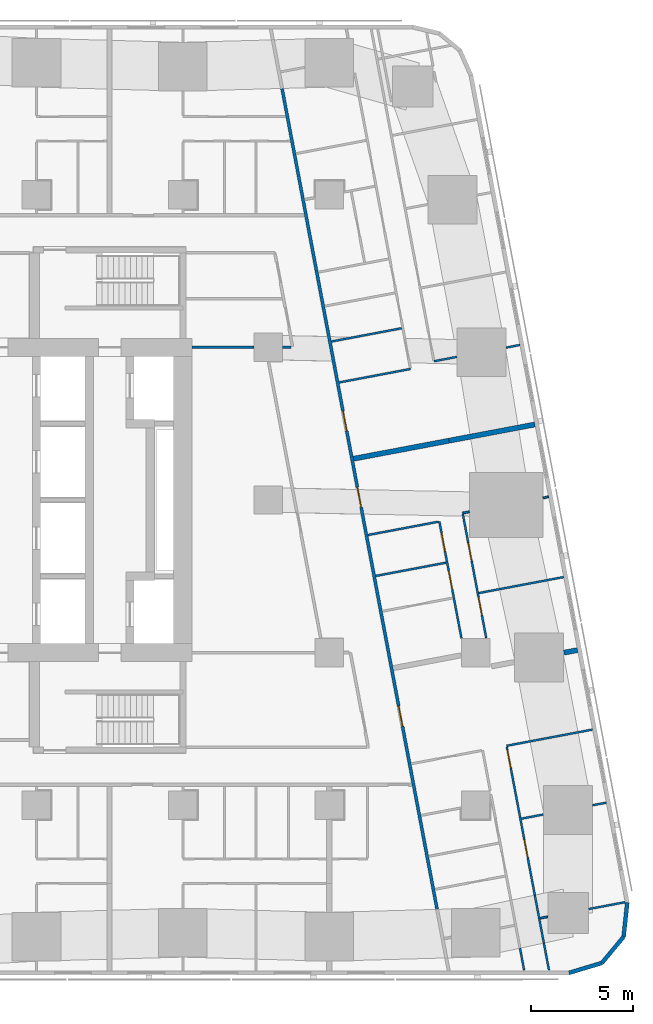
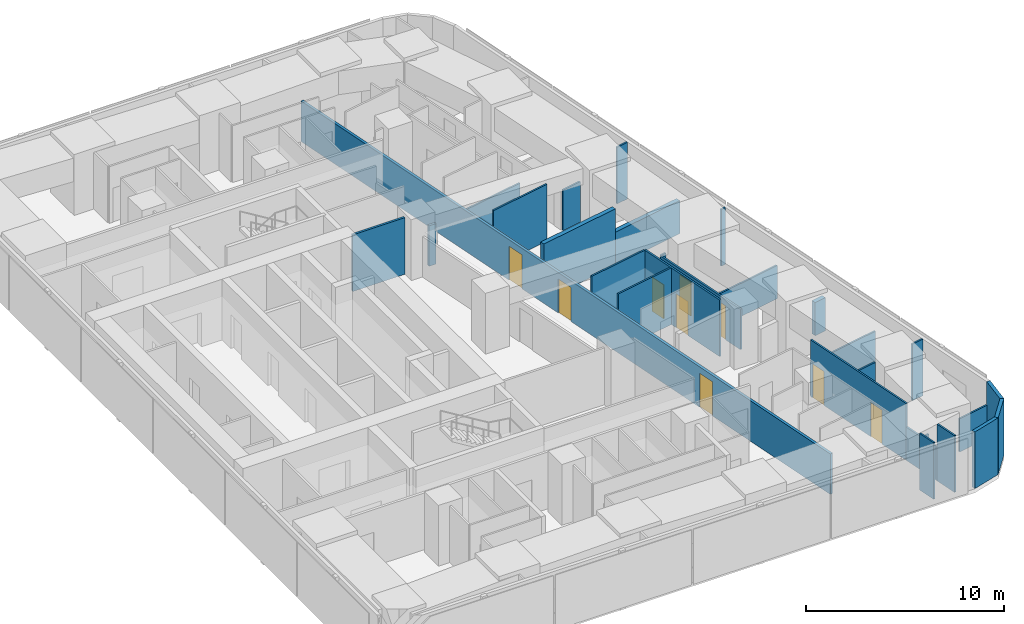
# One storey, part 5 of 10: 29 walls, 9 doors, 9 openings.
"""IFC4 building model written with IfcOpenShell, lengths in metres."""

from ifc_helpers import new_model, si_unit, direction, frame, frame_2d, origin, place, context, subcontext, project, spatial, rectangle, extrude, material, layer, layer_set, type_object, element, fill, save


model = new_model("IFC4")

# Units and contexts
model_context = context("Model", 3, precision=1e-05, world=origin(), true_north=direction((0.0, 1.0)))
body_context = subcontext(model_context, "Body", "Model", "MODEL_VIEW")
ifc_project = project(units=[si_unit("LENGTHUNIT", "METRE"), si_unit("AREAUNIT", "SQUARE_METRE"), si_unit("VOLUMEUNIT", "CUBIC_METRE"), si_unit("PLANEANGLEUNIT", "RADIAN"), si_unit("MASSUNIT", "GRAM", prefix="KILO")], contexts=[model_context])

# Site, building, storey
site_placement = place(None, origin())
site = spatial("IfcSite", under=ifc_project, at=site_placement, CompositionType="ELEMENT")
building_placement = place(site_placement, origin())
building = spatial("IfcBuilding", under=site, at=building_placement, Name="Sheger Commons Tower", CompositionType="ELEMENT")
storey_placement = place(building_placement, frame((0.0, 0.0, 231.199951171875)))
storey = spatial("IfcBuildingStorey", under=building, at=storey_placement, Name="L59", CompositionType="ELEMENT", Elevation=231.199951171875)

# Wall, openings, doors
ifc_material_1 = material(Name="Hollow concrete block masonry, skimmed both sides", Category="masonry")
ifc_layer_1 = layer(ifc_material_1, 0.14990234375)
ifc_layer_set_1 = layer_set([ifc_layer_1], Name="CORRIDOR WALL 150")
wall_type_1 = type_object("IfcWallType", Name="CORRIDOR WALL 150", PredefinedType="SOLIDWALL", material=ifc_layer_set_1)
wall_1_placement = place(storey_placement, frame((33.679931640625, 42.722900390625, 0.0), z_axis=(0.0, 0.0, 1.0), x_axis=(0.185601160014, -0.982625162207, 0.0)))
wall_1 = element("IfcWall", 1, at=wall_1_placement, inside=storey, type_object=wall_type_1, Name="Corridor wall L59", PredefinedType="SOLIDWALL", context=body_context, shape_type="SweptSolid", body=[
    extrude(rectangle(XDim=41.05126953125, YDim=0.14990234375, at=frame_2d((20.525634765625, 0.0))), origin(), (0.0, 0.0, 1.0), 2.5),
])
opening_1_placement = place(wall_1_placement, frame((16.123046875, 0.0, 0.0)))
opening_1 = element("IfcOpeningElement", 2, at=opening_1_placement, cuts=wall_1, Name="Opening D1", PredefinedType="OPENING", context=body_context, shape_type="SweptSolid", body=[
    extrude(rectangle(XDim=1.0, YDim=2.10009765625, at=frame_2d((0.5, 1.050048828125))), frame((0.0, 0.0849609375, 0.0), z_axis=(0.0, -1.0, 0.0), x_axis=(1.0, 0.0, 0.0)), (0.0, 0.0, 1.0), 0.169921875),
])
opening_2_placement = place(wall_1_placement, frame((19.93798828125, 0.0, 0.0)))
opening_2 = element("IfcOpeningElement", 3, at=opening_2_placement, cuts=wall_1, Name="Opening D1", PredefinedType="OPENING", context=body_context, shape_type="SweptSolid", body=[
    extrude(rectangle(XDim=1.0, YDim=2.10009765625, at=frame_2d((0.5, 1.050048828125))), frame((0.0, 0.0849609375, 0.0), z_axis=(0.0, -1.0, 0.0), x_axis=(1.0, 0.0, 0.0)), (0.0, 0.0, 1.0), 0.169921875),
])
opening_3_placement = place(wall_1_placement, frame((30.902099609375, 0.0, 0.0)))
opening_3 = element("IfcOpeningElement", 4, at=opening_3_placement, cuts=wall_1, Name="Opening D1", PredefinedType="OPENING", context=body_context, shape_type="SweptSolid", body=[
    extrude(rectangle(XDim=1.0, YDim=2.10009765625, at=frame_2d((0.5, 1.050048828125))), frame((0.0, 0.0849609375, 0.0), z_axis=(0.0, -1.0, 0.0), x_axis=(1.0, 0.0, 0.0)), (0.0, 0.0, 1.0), 0.169921875),
])
ifc_material_2 = material(Name="Steel door set, fire rated", Category="steel")
door_type_1 = type_object("IfcDoorType", Name="FLAT ENTRANCE DOOR 1000x2100", OperationType="NOTDEFINED", PredefinedType="DOOR", material=ifc_material_2)
door_1_placement = place(opening_1_placement, origin())
door_1 = element("IfcDoor", 5, at=door_1_placement, inside=storey, type_object=door_type_1, Name="Flat entrance door", OperationType="SINGLE_SWING_LEFT", OverallHeight=2.10009765625, OverallWidth=1.0, PredefinedType="DOOR", context=body_context, shape_type="SweptSolid", body=[
    extrude(rectangle(XDim=1.0, YDim=2.10009765625, at=frame_2d((0.5, 1.050048828125))), frame((0.0, 0.02490234375, 0.0), z_axis=(0.0, -1.0, 0.0), x_axis=(1.0, 0.0, 0.0)), (0.0, 0.0, 1.0), 0.050048828125),
])
fill(opening_1, door_1)
door_2_placement = place(opening_2_placement, origin())
door_2 = element("IfcDoor", 6, at=door_2_placement, inside=storey, type_object=door_type_1, Name="Flat entrance door", OperationType="SINGLE_SWING_RIGHT", OverallHeight=2.10009765625, OverallWidth=1.0, PredefinedType="DOOR", context=body_context, shape_type="SweptSolid", body=[
    extrude(rectangle(XDim=1.0, YDim=2.10009765625, at=frame_2d((0.5, 1.050048828125))), frame((0.0, 0.02490234375, 0.0), z_axis=(0.0, -1.0, 0.0), x_axis=(1.0, 0.0, 0.0)), (0.0, 0.0, 1.0), 0.050048828125),
])
fill(opening_2, door_2)
door_3_placement = place(opening_3_placement, origin())
door_3 = element("IfcDoor", 7, at=door_3_placement, inside=storey, type_object=door_type_1, Name="Flat entrance door", OperationType="SINGLE_SWING_LEFT", OverallHeight=2.10009765625, OverallWidth=1.0, PredefinedType="DOOR", context=body_context, shape_type="SweptSolid", body=[
    extrude(rectangle(XDim=1.0, YDim=2.10009765625, at=frame_2d((0.5, 1.050048828125))), frame((0.0, 0.02490234375, 0.0), z_axis=(0.0, -1.0, 0.0), x_axis=(1.0, 0.0, 0.0)), (0.0, 0.0, 1.0), 0.050048828125),
])
fill(opening_3, door_3)

# Walls
ifc_material_3 = material(Name="Dense concrete block masonry, plastered both sides (separating wall between flats)", Category="masonry")
ifc_layer_2 = layer(ifc_material_3, 0.25)
ifc_layer_set_2 = layer_set([ifc_layer_2], Name="DEMISING WALL 250")
wall_type_2 = type_object("IfcWallType", Name="DEMISING WALL 250", PredefinedType="SOLIDWALL", material=ifc_layer_set_2)
wall_2_placement = place(storey_placement, frame((46.110107421875, 26.212890625, 0.0), z_axis=(0.0, 0.0, 1.0), x_axis=(-0.982633535512, -0.185556823879, 0.0)))
element("IfcWall", 8, at=wall_2_placement, inside=storey, type_object=wall_type_2, Name="Demising wall L59", PredefinedType="SOLIDWALL", context=body_context, shape_type="SweptSolid", body=[
    extrude(rectangle(XDim=4.2998046875, YDim=0.25, at=frame_2d((2.14990234375, 0.0))), origin(), (0.0, 0.0, 1.0), 2.050048828125),
])
wall_3_placement = place(storey_placement, frame((41.885009765625, 25.4150390625, 0.0), z_axis=(0.0, 0.0, 1.0), x_axis=(-0.982596737686, -0.185751584349, 0.0)))
element("IfcWall", 9, at=wall_3_placement, inside=storey, type_object=wall_type_2, Name="Demising wall L59", PredefinedType="SOLIDWALL", context=body_context, shape_type="SweptSolid", body=[
    extrude(rectangle(XDim=4.77490234375, YDim=0.25, at=frame_2d((2.387451171875, 0.0))), origin(), (0.0, 0.0, 1.0), 3.5),
])
wall_4_placement = place(storey_placement, frame((48.2060546875, 15.1201171875, 0.0), z_axis=(0.0, 0.0, 1.0), x_axis=(-0.982610999048, -0.18567612811, 0.0)))
element("IfcWall", 10, at=wall_4_placement, inside=storey, type_object=wall_type_2, Name="Demising wall L59", PredefinedType="SOLIDWALL", context=body_context, shape_type="SweptSolid", body=[
    extrude(rectangle(XDim=0.6796875, YDim=0.25, at=frame_2d((0.33984375, 0.0))), origin(), (0.0, 0.0, 1.0), 2.050048828125),
])
ifc_material_4 = material(Name="Rendered concrete block masonry, dark grey", Category="masonry")
ifc_layer_3 = layer(ifc_material_4, 0.199951171875)
ifc_layer_set_3 = layer_set([ifc_layer_3], Name="FACADE WALL 200")
wall_type_3 = type_object("IfcWallType", Name="FACADE WALL 200", PredefinedType="SOLIDWALL", material=ifc_layer_set_3)
wall_5_placement = place(storey_placement, frame((47.791015625, -0.75, 0.0), z_axis=(0.0, 0.0, 1.0), x_axis=(0.957455232626, 0.288581838509, 0.0)))
element("IfcWall", 11, at=wall_5_placement, inside=storey, type_object=wall_type_3, Name="Facade wall L59", PredefinedType="SOLIDWALL", context=body_context, shape_type="SweptSolid", body=[
    extrude(rectangle(XDim=1.687744140625, YDim=0.199951171875, at=frame_2d((0.84375, 0.0))), origin(), (0.0, 0.0, 1.0), 3.5),
])
wall_6_placement = place(storey_placement, frame((49.406982421875, -0.262939453125, 0.0), z_axis=(0.0, 0.0, 1.0), x_axis=(0.638042593423, 0.770001070764, 0.0)))
element("IfcWall", 12, at=wall_6_placement, inside=storey, type_object=wall_type_3, Name="Facade wall L59", PredefinedType="SOLIDWALL", context=body_context, shape_type="SweptSolid", body=[
    extrude(rectangle(XDim=1.672607421875, YDim=0.199951171875, at=frame_2d((0.83642578125, 0.0))), origin(), (0.0, 0.0, 1.0), 3.5),
])
wall_7_placement = place(storey_placement, frame((50.47412109375, 1.02490234375, 0.0), z_axis=(0.0, 0.0, 1.0), x_axis=(0.106047815515, 0.994361031429, 0.0)))
element("IfcWall", 13, at=wall_7_placement, inside=storey, type_object=wall_type_3, Name="Facade wall L59", PredefinedType="SOLIDWALL", context=body_context, shape_type="SweptSolid", body=[
    extrude(rectangle(XDim=1.6875, YDim=0.199951171875, at=frame_2d((0.84375, 0.0))), origin(), (0.0, 0.0, 1.0), 3.5),
])
ifc_material_5 = material(Name="Gypsum board on steel studs", Category="steel")
ifc_layer_4 = layer(ifc_material_5, 0.10009765625)
ifc_layer_set_4 = layer_set([ifc_layer_4], Name="PARTITION 100")
wall_type_4 = type_object("IfcWallType", Name="PARTITION 100", PredefinedType="PARTITIONING", material=ifc_layer_set_4)
wall_8_placement = place(storey_placement, frame((45.3720703125, 30.12109375, 0.0), z_axis=(0.0, 0.0, 1.0), x_axis=(-0.98254419619, -0.186029305578, 0.0)))
element("IfcWall", 14, at=wall_8_placement, inside=storey, type_object=wall_type_4, Name="Partition L59", PredefinedType="PARTITIONING", context=body_context, shape_type="SweptSolid", body=[
    extrude(rectangle(XDim=0.6943359375, YDim=0.10009765625, at=frame_2d((0.34716796875, 0.0))), origin(), (0.0, 0.0, 1.0), 3.5),
])
wall_9_placement = place(storey_placement, frame((42.27001953125, 29.534912109375, 0.0), z_axis=(0.0, 0.0, 1.0), x_axis=(-0.982502700549, -0.186248338017, 0.0)))
element("IfcWall", 15, at=wall_9_placement, inside=storey, type_object=wall_type_4, Name="Partition L59", PredefinedType="PARTITIONING", context=body_context, shape_type="SweptSolid", body=[
    extrude(rectangle(XDim=1.14306640625, YDim=0.10009765625, at=frame_2d((0.571533203125, 0.0))), origin(), (0.0, 0.0, 1.0), 2.5),
])
wall_10_placement = place(storey_placement, frame((39.9970703125, 28.94189453125, 0.0), z_axis=(0.0, 0.0, 1.0), x_axis=(-0.982613029841, -0.185665380691, 0.0)))
element("IfcWall", 16, at=wall_10_placement, inside=storey, type_object=wall_type_4, Name="Partition L59", PredefinedType="PARTITIONING", context=body_context, shape_type="SweptSolid", body=[
    extrude(rectangle(XDim=3.575439453125, YDim=0.10009765625, at=frame_2d((1.78759765625, 0.0))), origin(), (0.0, 0.0, 1.0), 3.5),
])
wall_11_placement = place(storey_placement, frame((39.56689453125, 30.947021484375, 0.0), z_axis=(0.0, 0.0, 1.0), x_axis=(-0.982576058723, -0.185860939478, 0.0)))
element("IfcWall", 17, at=wall_11_placement, inside=storey, type_object=wall_type_4, Name="Partition L59", PredefinedType="PARTITIONING", context=body_context, shape_type="SweptSolid", body=[
    extrude(rectangle(XDim=3.5244140625, YDim=0.10009765625, at=frame_2d((1.76220703125, 0.0))), origin(), (0.0, 0.0, 1.0), 2.5),
])

# Wall, openings, doors
wall_12_placement = place(storey_placement, frame((42.56591796875, 21.80908203125, 0.0), z_axis=(0.0, 0.0, 1.0), x_axis=(0.185613526435, -0.98262282632, 0.0)))
wall_12 = element("IfcWall", 18, at=wall_12_placement, inside=storey, type_object=wall_type_4, Name="Partition L59", PredefinedType="PARTITIONING", context=body_context, shape_type="SweptSolid", body=[
    extrude(rectangle(XDim=6.20703125, YDim=0.10009765625, at=frame_2d((3.103515625, 0.0))), origin(), (0.0, 0.0, 1.0), 2.5),
])
opening_4_placement = place(wall_12_placement, frame((1.449951171875, 0.0, 0.0)))
opening_4 = element("IfcOpeningElement", 19, at=opening_4_placement, cuts=wall_12, Name="Opening D2", PredefinedType="OPENING", context=body_context, shape_type="SweptSolid", body=[
    extrude(rectangle(XDim=0.89990234375, YDim=2.10009765625, at=frame_2d((0.449951171875, 1.050048828125))), frame((0.0, 0.06005859375, 0.0), z_axis=(0.0, -1.0, 0.0), x_axis=(1.0, 0.0, 0.0)), (0.0, 0.0, 1.0), 0.1201171875),
])
opening_5_placement = place(wall_12_placement, frame((4.1630859375, 0.0, 0.0)))
opening_5 = element("IfcOpeningElement", 20, at=opening_5_placement, cuts=wall_12, Name="Opening D2", PredefinedType="OPENING", context=body_context, shape_type="SweptSolid", body=[
    extrude(rectangle(XDim=0.89990234375, YDim=2.10009765625, at=frame_2d((0.449951171875, 1.050048828125))), frame((0.0, 0.06005859375, 0.0), z_axis=(0.0, -1.0, 0.0), x_axis=(1.0, 0.0, 0.0)), (0.0, 0.0, 1.0), 0.1201171875),
])
ifc_material_6 = material(Name="Timber door set", Category="wood")
door_type_2 = type_object("IfcDoorType", Name="INTERNAL DOOR 900x2100", OperationType="NOTDEFINED", PredefinedType="DOOR", material=ifc_material_6)
door_4_placement = place(opening_4_placement, origin())
door_4 = element("IfcDoor", 21, at=door_4_placement, inside=storey, type_object=door_type_2, Name="Main bedroom door", OperationType="SINGLE_SWING_LEFT", OverallHeight=2.10009765625, OverallWidth=0.89990234375, PredefinedType="DOOR", context=body_context, shape_type="SweptSolid", body=[
    extrude(rectangle(XDim=0.89990234375, YDim=2.10009765625, at=frame_2d((0.449951171875, 1.050048828125))), frame((0.0, 0.02490234375, 0.0), z_axis=(0.0, -1.0, 0.0), x_axis=(1.0, 0.0, 0.0)), (0.0, 0.0, 1.0), 0.050048828125),
])
fill(opening_4, door_4)
door_5_placement = place(opening_5_placement, origin())
door_5 = element("IfcDoor", 22, at=door_5_placement, inside=storey, type_object=door_type_2, Name="Bedroom 2 door", OperationType="SINGLE_SWING_LEFT", OverallHeight=2.10009765625, OverallWidth=0.89990234375, PredefinedType="DOOR", context=body_context, shape_type="SweptSolid", body=[
    extrude(rectangle(XDim=0.89990234375, YDim=2.10009765625, at=frame_2d((0.449951171875, 1.050048828125))), frame((0.0, 0.02490234375, 0.0), z_axis=(0.0, -1.0, 0.0), x_axis=(1.0, 0.0, 0.0)), (0.0, 0.0, 1.0), 0.050048828125),
])
fill(opening_5, door_5)

wall_13_placement = place(storey_placement, frame((41.4140625, 21.44189453125, 0.0), z_axis=(0.0, 0.0, 1.0), x_axis=(0.185698675093, -0.982606738257, 0.0)))
wall_13 = element("IfcWall", 23, at=wall_13_placement, inside=storey, type_object=wall_type_4, Name="Partition L59", PredefinedType="PARTITIONING", context=body_context, shape_type="SweptSolid", body=[
    extrude(rectangle(XDim=5.842529296875, YDim=0.10009765625, at=frame_2d((2.92138671875, 0.0))), origin(), (0.0, 0.0, 1.0), 3.5),
])
opening_6_placement = place(wall_13_placement, frame((0.574951171875, 0.0, 0.0)))
opening_6 = element("IfcOpeningElement", 24, at=opening_6_placement, cuts=wall_13, Name="Opening D2", PredefinedType="OPENING", context=body_context, shape_type="SweptSolid", body=[
    extrude(rectangle(XDim=0.89990234375, YDim=2.10009765625, at=frame_2d((0.449951171875, 1.050048828125))), frame((0.0, 0.06005859375, 0.0), z_axis=(0.0, -1.0, 0.0), x_axis=(1.0, 0.0, 0.0)), (0.0, 0.0, 1.0), 0.1201171875),
])
opening_7_placement = place(wall_13_placement, frame((2.48291015625, 0.0, 0.0)))
opening_7 = element("IfcOpeningElement", 25, at=opening_7_placement, cuts=wall_13, Name="Opening D2", PredefinedType="OPENING", context=body_context, shape_type="SweptSolid", body=[
    extrude(rectangle(XDim=0.89990234375, YDim=2.10009765625, at=frame_2d((0.449951171875, 1.050048828125))), frame((0.0, 0.06005859375, 0.0), z_axis=(0.0, -1.0, 0.0), x_axis=(1.0, 0.0, 0.0)), (0.0, 0.0, 1.0), 0.1201171875),
])
door_6_placement = place(opening_6_placement, origin())
door_6 = element("IfcDoor", 26, at=door_6_placement, inside=storey, type_object=door_type_2, Name="Bathroom door", OperationType="SINGLE_SWING_RIGHT", OverallHeight=2.10009765625, OverallWidth=0.89990234375, PredefinedType="DOOR", context=body_context, shape_type="SweptSolid", body=[
    extrude(rectangle(XDim=0.89990234375, YDim=2.10009765625, at=frame_2d((0.449951171875, 1.050048828125))), frame((0.0, 0.02490234375, 0.0), z_axis=(0.0, -1.0, 0.0), x_axis=(1.0, 0.0, 0.0)), (0.0, 0.0, 1.0), 0.050048828125),
])
fill(opening_6, door_6)
door_7_placement = place(opening_7_placement, origin())
door_7 = element("IfcDoor", 27, at=door_7_placement, inside=storey, type_object=door_type_2, Name="Store door", OperationType="SINGLE_SWING_LEFT", OverallHeight=2.10009765625, OverallWidth=0.89990234375, PredefinedType="DOOR", context=body_context, shape_type="SweptSolid", body=[
    extrude(rectangle(XDim=0.89990234375, YDim=2.10009765625, at=frame_2d((0.449951171875, 1.050048828125))), frame((0.0, 0.02490234375, 0.0), z_axis=(0.0, -1.0, 0.0), x_axis=(1.0, 0.0, 0.0)), (0.0, 0.0, 1.0), 0.050048828125),
])
fill(opening_7, door_7)

# Walls
wall_14_placement = place(storey_placement, frame((46.781982421875, 22.656982421875, 0.0), z_axis=(0.0, 0.0, 1.0), x_axis=(-0.982574553168, -0.185868898601, 0.0)))
element("IfcWall", 28, at=wall_14_placement, inside=storey, type_object=wall_type_4, Name="Partition L59", PredefinedType="PARTITIONING", context=body_context, shape_type="SweptSolid", body=[
    extrude(rectangle(XDim=0.27978515625, YDim=0.10009765625, at=frame_2d((0.139892578125, 0.0))), origin(), (0.0, 0.0, 1.0), 3.5),
])
wall_15_placement = place(storey_placement, frame((42.886962890625, 21.9208984375, 0.0), z_axis=(0.0, 0.0, 1.0), x_axis=(-0.982274918032, -0.187445953293, 0.0)))
element("IfcWall", 29, at=wall_15_placement, inside=storey, type_object=wall_type_4, Name="Partition L59", PredefinedType="PARTITIONING", context=body_context, shape_type="SweptSolid", body=[
    extrude(rectangle(XDim=0.3359375, YDim=0.10009765625, at=frame_2d((0.16796875, 0.0))), origin(), (0.0, 0.0, 1.0), 2.5),
])
wall_16_placement = place(storey_placement, frame((47.527099609375, 18.7119140625, 0.0), z_axis=(0.0, 0.0, 1.0), x_axis=(-0.982665405803, -0.185387972203, 0.0)))
element("IfcWall", 30, at=wall_16_placement, inside=storey, type_object=wall_type_4, Name="Partition L59", PredefinedType="PARTITIONING", context=body_context, shape_type="SweptSolid", body=[
    extrude(rectangle(XDim=4.249755859375, YDim=0.10009765625, at=frame_2d((2.125, 0.0))), origin(), (0.0, 0.0, 1.0), 2.050048828125),
])
for number, where, z_axis, x_axis, name in (
    (31, (41.364990234375, 21.43310546875, 0.0), (0.0, 0.0, 1.0), (-0.982638553676, -0.185530247748, 0.0), "Partition L59"),
    (32, (41.7451171875, 19.41796875, 0.0), (0.0, 0.0, 1.0), (-0.982638553676, -0.185530247748, 0.0), "Partition L59"),
):
    element("IfcWall", number, at=place(storey_placement, frame(where, z_axis=z_axis, x_axis=x_axis)), inside=storey, type_object=wall_type_4, Name=name, PredefinedType="PARTITIONING", context=body_context, shape_type="SweptSolid", body=[
        extrude(rectangle(XDim=3.525390625, YDim=0.10009765625, at=frame_2d((1.7626953125, 0.0))), origin(), (0.0, 0.0, 1.0), 3.5),
    ])

# Wall, openings, doors
wall_17_placement = place(storey_placement, frame((44.72705078125, 10.365966796875, 0.0), z_axis=(0.0, 0.0, 1.0), x_axis=(0.185678775129, -0.982610498858, 0.0)))
wall_17 = element("IfcWall", 33, at=wall_17_placement, inside=storey, type_object=wall_type_4, Name="Partition L59", PredefinedType="PARTITIONING", context=body_context, shape_type="SweptSolid", body=[
    extrude(rectangle(XDim=7.421142578125, YDim=0.10009765625, at=frame_2d((3.71044921875, 0.0))), origin(), (0.0, 0.0, 1.0), 3.5),
])
opening_8_placement = place(wall_17_placement, frame((0.15087890625, 0.0, 0.0)))
opening_8 = element("IfcOpeningElement", 34, at=opening_8_placement, cuts=wall_17, Name="Opening D2", PredefinedType="OPENING", context=body_context, shape_type="SweptSolid", body=[
    extrude(rectangle(XDim=0.89990234375, YDim=2.10009765625, at=frame_2d((0.449951171875, 1.050048828125))), frame((0.0, 0.06005859375, 0.0), z_axis=(0.0, -1.0, 0.0), x_axis=(1.0, 0.0, 0.0)), (0.0, 0.0, 1.0), 0.1201171875),
])
opening_9_placement = place(wall_17_placement, frame((4.64990234375, 0.0, 0.0)))
opening_9 = element("IfcOpeningElement", 35, at=opening_9_placement, cuts=wall_17, Name="Opening D2", PredefinedType="OPENING", context=body_context, shape_type="SweptSolid", body=[
    extrude(rectangle(XDim=0.89990234375, YDim=2.10009765625, at=frame_2d((0.449951171875, 1.050048828125))), frame((0.0, 0.06005859375, 0.0), z_axis=(0.0, -1.0, 0.0), x_axis=(1.0, 0.0, 0.0)), (0.0, 0.0, 1.0), 0.1201171875),
])
door_8_placement = place(opening_8_placement, origin())
door_8 = element("IfcDoor", 36, at=door_8_placement, inside=storey, type_object=door_type_2, Name="Main bedroom door", OperationType="SINGLE_SWING_LEFT", OverallHeight=2.10009765625, OverallWidth=0.89990234375, PredefinedType="DOOR", context=body_context, shape_type="SweptSolid", body=[
    extrude(rectangle(XDim=0.89990234375, YDim=2.10009765625, at=frame_2d((0.449951171875, 1.050048828125))), frame((0.0, 0.02490234375, 0.0), z_axis=(0.0, -1.0, 0.0), x_axis=(1.0, 0.0, 0.0)), (0.0, 0.0, 1.0), 0.050048828125),
])
fill(opening_8, door_8)
door_9_placement = place(opening_9_placement, origin())
door_9 = element("IfcDoor", 37, at=door_9_placement, inside=storey, type_object=door_type_2, Name="Bedroom 2 door", OperationType="SINGLE_SWING_LEFT", OverallHeight=2.10009765625, OverallWidth=0.89990234375, PredefinedType="DOOR", context=body_context, shape_type="SweptSolid", body=[
    extrude(rectangle(XDim=0.89990234375, YDim=2.10009765625, at=frame_2d((0.449951171875, 1.050048828125))), frame((0.0, 0.02490234375, 0.0), z_axis=(0.0, -1.0, 0.0), x_axis=(1.0, 0.0, 0.0)), (0.0, 0.0, 1.0), 0.050048828125),
])
fill(opening_9, door_9)

# Walls
wall_18_placement = place(storey_placement, frame((46.10498046875, 3.073974609375, 0.0), z_axis=(0.0, 0.0, 1.0), x_axis=(0.185631845838, -0.982619365681, 0.0)))
element("IfcWall", 38, at=wall_18_placement, inside=storey, type_object=wall_type_4, Name="Partition L59", PredefinedType="PARTITIONING", context=body_context, shape_type="SweptSolid", body=[
    extrude(rectangle(XDim=2.40283203125, YDim=0.10009765625, at=frame_2d((1.201416015625, 0.0))), origin(), (0.0, 0.0, 1.0), 2.050048828125),
])
wall_19_placement = place(storey_placement, frame((46.551025390625, 0.712890625, 0.0), z_axis=(0.0, 0.0, 1.0), x_axis=(0.185407859198, -0.982661653748, 0.0)))
element("IfcWall", 39, at=wall_19_placement, inside=storey, type_object=wall_type_4, Name="Partition L59", PredefinedType="PARTITIONING", context=body_context, shape_type="SweptSolid", body=[
    extrude(rectangle(XDim=1.343017578125, YDim=0.10009765625, at=frame_2d((0.67138671875, 0.0))), origin(), (0.0, 0.0, 1.0), 3.5),
])
wall_20_placement = place(storey_placement, frame((45.376953125, 0.4619140625, 0.0), z_axis=(0.0, 0.0, 1.0), x_axis=(0.185513480919, -0.982641719243, 0.0)))
element("IfcWall", 40, at=wall_20_placement, inside=storey, type_object=wall_type_4, Name="Partition L59", PredefinedType="PARTITIONING", context=body_context, shape_type="SweptSolid", body=[
    extrude(rectangle(XDim=1.094970703125, YDim=0.10009765625, at=frame_2d((0.54736328125, 0.0))), origin(), (0.0, 0.0, 1.0), 3.5),
])
wall_21_placement = place(storey_placement, frame((48.943115234375, 11.212890625, 0.0), z_axis=(0.0, 0.0, 1.0), x_axis=(-0.982633535512, -0.185556823879, 0.0)))
element("IfcWall", 41, at=wall_21_placement, inside=storey, type_object=wall_type_4, Name="Partition L59", PredefinedType="PARTITIONING", context=body_context, shape_type="SweptSolid", body=[
    extrude(rectangle(XDim=4.2998046875, YDim=0.10009765625, at=frame_2d((2.14990234375, 0.0))), origin(), (0.0, 0.0, 1.0), 2.050048828125),
])
wall_22_placement = place(storey_placement, frame((49.6220703125, 7.6201171875, 0.0), z_axis=(0.0, 0.0, 1.0), x_axis=(-0.98254419619, -0.186029305578, 0.0)))
element("IfcWall", 42, at=wall_22_placement, inside=storey, type_object=wall_type_4, Name="Partition L59", PredefinedType="PARTITIONING", context=body_context, shape_type="SweptSolid", body=[
    extrude(rectangle(XDim=0.6943359375, YDim=0.10009765625, at=frame_2d((0.34716796875, 0.0))), origin(), (0.0, 0.0, 1.0), 3.5),
])
wall_23_placement = place(storey_placement, frame((46.52001953125, 7.034912109375, 0.0), z_axis=(0.0, 0.0, 1.0), x_axis=(-0.982620932907, -0.185623549726, 0.0)))
element("IfcWall", 43, at=wall_23_placement, inside=storey, type_object=wall_type_4, Name="Partition L59", PredefinedType="PARTITIONING", context=body_context, shape_type="SweptSolid", body=[
    extrude(rectangle(XDim=1.093017578125, YDim=0.10009765625, at=frame_2d((0.54638671875, 0.0))), origin(), (0.0, 0.0, 1.0), 3.5),
])
wall_24_placement = place(storey_placement, frame((50.547119140625, 2.72607421875, 0.0), z_axis=(0.0, 0.0, 1.0), x_axis=(-0.982603988143, -0.185713226471, 0.0)))
element("IfcWall", 44, at=wall_24_placement, inside=storey, type_object=wall_type_4, Name="Partition L59", PredefinedType="PARTITIONING", context=body_context, shape_type="SweptSolid", body=[
    extrude(rectangle(XDim=1.82080078125, YDim=0.10009765625, at=frame_2d((0.910400390625, 0.0))), origin(), (0.0, 0.0, 1.0), 2.050048828125),
])
wall_25_placement = place(storey_placement, frame((46.738037109375, 2.006103515625, 0.0), z_axis=(0.0, 0.0, 1.0), x_axis=(-0.982820466874, -0.184564161994, 0.0)))
element("IfcWall", 45, at=wall_25_placement, inside=storey, type_object=wall_type_4, Name="Partition L59", PredefinedType="PARTITIONING", context=body_context, shape_type="SweptSolid", body=[
    extrude(rectangle(XDim=0.374267578125, YDim=0.10009765625, at=frame_2d((0.18701171875, 0.0))), origin(), (0.0, 0.0, 1.0), 2.050048828125),
])
ifc_material_7 = material(Name="Gypsum board on steel studs, two layers each side, fire rated", Category="steel")
ifc_layer_5 = layer(ifc_material_7, 0.125)
ifc_layer_set_5 = layer_set([ifc_layer_5], Name="SERVICE WALL 125")
wall_type_5 = type_object("IfcWallType", Name="SERVICE WALL 125", PredefinedType="PARTITIONING", material=ifc_layer_set_5)
wall_26_placement = place(storey_placement, frame((29.25, 30.0, 0.0), z_axis=(0.0, 0.0, 1.0), x_axis=(1.0, 0.0, 0.0)))
element("IfcWall", 46, at=wall_26_placement, inside=storey, type_object=wall_type_5, Name="Service room wall L59", PredefinedType="PARTITIONING", context=body_context, shape_type="SweptSolid", body=[
    extrude(rectangle(XDim=3.049072265625, YDim=0.125, at=frame_2d((1.5244140625, 0.0))), origin(), (0.0, 0.0, 1.0), 3.5),
])
wall_27_placement = place(storey_placement, frame((33.700927734375, 30.0, 0.0), z_axis=(0.0, 0.0, 1.0), x_axis=(1.0, 0.0, 0.0)))
element("IfcWall", 47, at=wall_27_placement, inside=storey, type_object=wall_type_5, Name="Service room wall L59", PredefinedType="PARTITIONING", context=body_context, shape_type="SweptSolid", body=[
    extrude(rectangle(XDim=0.424072265625, YDim=0.125, at=frame_2d((0.2119140625, 0.0))), origin(), (0.0, 0.0, 1.0), 2.5),
])

save(model, "model.ifc")
